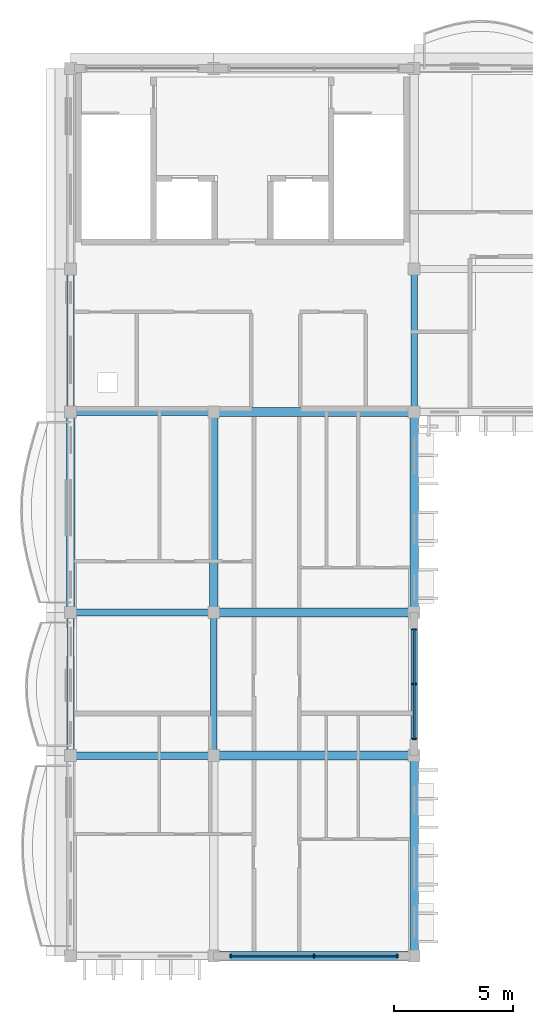
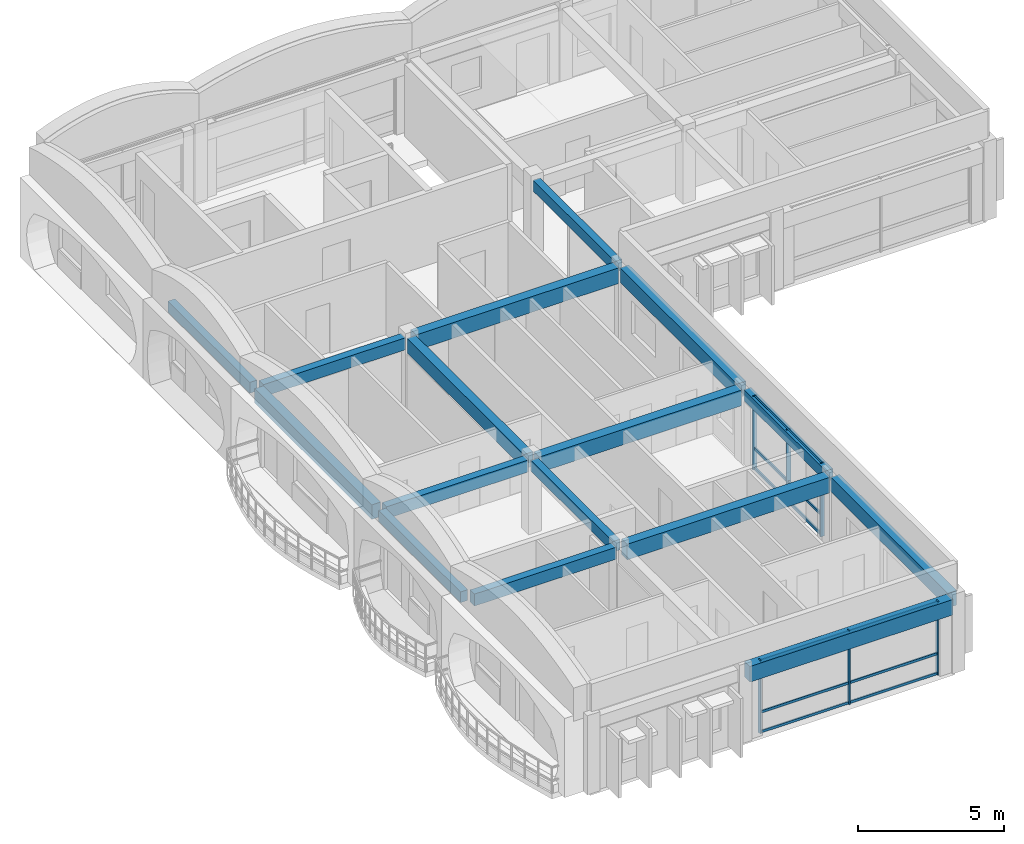
# One storey, part 2 of 12: 16 beams, 12 members, 2 elements without a shape of their own.
"""IFC4 building model written with IfcOpenShell, lengths in metres."""

from ifc_helpers import new_model, si_unit, direction, frame, origin, origin_2d, place, context, subcontext, project, spatial, rectangle, extrude, material, material_profile, profile_set, type_object, element, aggregate, save


model = new_model("IFC4")

# Units and contexts
model_context = context("Model", 3, precision=1e-05, world=origin(), true_north=direction((0.0, 1.0)))
body_context = subcontext(model_context, "Body", "Model", "MODEL_VIEW")
ifc_project = project(units=[si_unit("LENGTHUNIT", "METRE"), si_unit("AREAUNIT", "SQUARE_METRE"), si_unit("VOLUMEUNIT", "CUBIC_METRE"), si_unit("PLANEANGLEUNIT", "RADIAN"), si_unit("MASSUNIT", "GRAM", prefix="KILO"), si_unit("THERMODYNAMICTEMPERATUREUNIT", "KELVIN")], contexts=[model_context])

# Site, building, storey
site_placement = place(None, origin())
site = spatial("IfcSite", under=ifc_project, at=site_placement, CompositionType="ELEMENT")
building_placement = place(site_placement, origin())
building = spatial("IfcBuilding", under=site, at=building_placement, Name="Thalorik Housing Commons", CompositionType="ELEMENT")
storey_placement = place(building_placement, frame((0.0, 0.0, 51.0)))
storey = spatial("IfcBuildingStorey", under=building, at=storey_placement, Name="L15", CompositionType="ELEMENT", Elevation=51.0)

# Curtain wall, members
ifc_material_1 = material(Name="Anodised aluminium and solar-control low-E glass", Category="aluminium")
curtain_wall_type = type_object("IfcCurtainWallType", Name="ARC-CW-LOUNGE", PredefinedType="USERDEFINED", material=ifc_material_1)
curtain_wall_1_placement = place(storey_placement, origin())
curtain_wall_1 = element("IfcCurtainWall", 1, at=curtain_wall_1_placement, inside=storey, type_object=curtain_wall_type, Name="L15 Curtain Wall CW-RES-L15-A-069", ObjectType="CURTAIN WALL", PredefinedType="USERDEFINED")
ifc_material_2 = material(Name="Anodised aluminium 6063-T6", Category="aluminium")
ifc_material_profile_1 = material_profile(ifc_material_2, rectangle(XDim=0.054931640625, YDim=0.139892578125, at=origin_2d()), Name="ALU MUL 55x140", Category="aluminium")
ifc_profile_set_1 = profile_set([ifc_material_profile_1], Name="Anodised aluminium 6063-T6")
member_type_1 = type_object("IfcMemberType", Name="ARC-CW-MUL-55x140", PredefinedType="MULLION", material=ifc_profile_set_1)
member_1_placement = place(storey_placement, frame((15.10009765625, 86.39990234375, 0.0), z_axis=(0.0, 0.0, 1.0), x_axis=(1.0, 0.0, 0.0)))
member_1 = element("IfcMember", 2, at=member_1_placement, type_object=member_type_1, Name="CW-RES-L15-A-069 Mullion 1", PredefinedType="MULLION", context=body_context, shape_type="SweptSolid", body=[
    extrude(rectangle(XDim=0.054931640625, YDim=0.139892578125, at=origin_2d()), origin(), (0.0, 0.0, 1.0), 3.06005859375),
])
member_2_placement = place(storey_placement, frame((18.60009765625, 86.39990234375, 0.0), z_axis=(0.0, 0.0, 1.0), x_axis=(1.0, 0.0, 0.0)))
member_2 = element("IfcMember", 3, at=member_2_placement, type_object=member_type_1, Name="CW-RES-L15-A-069 Mullion 2", PredefinedType="MULLION", context=body_context, shape_type="SweptSolid", body=[
    extrude(rectangle(XDim=0.054931640625, YDim=0.139892578125, at=origin_2d()), origin(), (0.0, 0.0, 1.0), 3.06005859375),
])
member_3_placement = place(storey_placement, frame((22.10009765625, 86.39990234375, 0.0), z_axis=(0.0, 0.0, 1.0), x_axis=(1.0, 0.0, 0.0)))
member_3 = element("IfcMember", 4, at=member_3_placement, type_object=member_type_1, Name="CW-RES-L15-A-069 Mullion 3", PredefinedType="MULLION", context=body_context, shape_type="SweptSolid", body=[
    extrude(rectangle(XDim=0.054931640625, YDim=0.139892578125, at=origin_2d()), origin(), (0.0, 0.0, 1.0), 3.06005859375),
])

curtain_wall_2_placement = place(storey_placement, origin())
curtain_wall_2 = element("IfcCurtainWall", 5, at=curtain_wall_2_placement, inside=storey, type_object=curtain_wall_type, Name="L15 Curtain Wall CW-RES-L15-A-070", ObjectType="CURTAIN WALL", PredefinedType="USERDEFINED")
ifc_material_profile_2 = material_profile(ifc_material_2, rectangle(XDim=0.06005859375, YDim=0.159912109375, at=origin_2d()), Name="ALU MUL 60x160", Category="aluminium")
ifc_profile_set_2 = profile_set([ifc_material_profile_2], Name="Anodised aluminium 6063-T6")
member_type_2 = type_object("IfcMemberType", Name="ARC-CW-MUL-60x160", PredefinedType="MULLION", material=ifc_profile_set_2)
member_4_placement = place(storey_placement, frame((22.800048828125, 95.5, 0.0), z_axis=(0.0, 0.0, 1.0), x_axis=(0.0, 1.0, 0.0)))
member_4 = element("IfcMember", 6, at=member_4_placement, type_object=member_type_2, Name="CW-RES-L15-A-070 Mullion 1", PredefinedType="MULLION", context=body_context, shape_type="SweptSolid", body=[
    extrude(rectangle(XDim=0.06005859375, YDim=0.159912109375, at=origin_2d()), origin(), (0.0, 0.0, 1.0), 3.06005859375),
])
member_5_placement = place(storey_placement, frame((22.800048828125, 97.800048828125, 0.0), z_axis=(0.0, 0.0, 1.0), x_axis=(0.0, 1.0, 0.0)))
member_5 = element("IfcMember", 7, at=member_5_placement, type_object=member_type_2, Name="CW-RES-L15-A-070 Mullion 2", PredefinedType="MULLION", context=body_context, shape_type="SweptSolid", body=[
    extrude(rectangle(XDim=0.06005859375, YDim=0.159912109375, at=origin_2d()), origin(), (0.0, 0.0, 1.0), 3.06005859375),
])
member_6_placement = place(storey_placement, frame((22.800048828125, 100.10009765625, 0.0), z_axis=(0.0, 0.0, 1.0), x_axis=(0.0, 1.0, 0.0)))
member_6 = element("IfcMember", 8, at=member_6_placement, type_object=member_type_2, Name="CW-RES-L15-A-070 Mullion 3", PredefinedType="MULLION", context=body_context, shape_type="SweptSolid", body=[
    extrude(rectangle(XDim=0.06005859375, YDim=0.159912109375, at=origin_2d()), origin(), (0.0, 0.0, 1.0), 3.06005859375),
])

# Member
ifc_material_profile_3 = material_profile(ifc_material_2, rectangle(XDim=0.054931640625, YDim=0.10498046875, at=origin_2d()), Name="ALU TRN 55x105", Category="aluminium")
ifc_profile_set_3 = profile_set([ifc_material_profile_3], Name="Anodised aluminium 6063-T6")
member_type_3 = type_object("IfcMemberType", Name="ARC-CW-TRN-55x105", PredefinedType="USERDEFINED", material=ifc_profile_set_3)
member_7_placement = place(storey_placement, frame((15.10009765625, 86.39990234375, 0.054931640625), z_axis=(1.0, 0.0, 0.0), x_axis=(0.0, 1.0, 0.0)))
member_7 = element("IfcMember", 9, at=member_7_placement, type_object=member_type_3, Name="CW-RES-L15-A-069 Transom 1", ObjectType="TRANSOM", PredefinedType="USERDEFINED", context=body_context, shape_type="SweptSolid", body=[
    extrude(rectangle(XDim=0.054931640625, YDim=0.10498046875, at=origin_2d()), origin(), (0.0, 0.0, 1.0), 7.0),
])

member_8_placement = place(storey_placement, frame((15.10009765625, 86.39990234375, 0.8798828125), z_axis=(1.0, 0.0, 0.0), x_axis=(0.0, 1.0, 0.0)))
member_8 = element("IfcMember", 10, at=member_8_placement, type_object=member_type_3, Name="CW-RES-L15-A-069 Transom 2", ObjectType="TRANSOM", PredefinedType="USERDEFINED", context=body_context, shape_type="SweptSolid", body=[
    extrude(rectangle(XDim=0.054931640625, YDim=0.10498046875, at=origin_2d()), origin(), (0.0, 0.0, 1.0), 7.0),
])

member_9_placement = place(storey_placement, frame((15.10009765625, 86.39990234375, 3.0048828125), z_axis=(1.0, 0.0, 0.0), x_axis=(0.0, 1.0, 0.0)))
member_9 = element("IfcMember", 11, at=member_9_placement, type_object=member_type_3, Name="CW-RES-L15-A-069 Transom 3", ObjectType="TRANSOM", PredefinedType="USERDEFINED", context=body_context, shape_type="SweptSolid", body=[
    extrude(rectangle(XDim=0.054931640625, YDim=0.10498046875, at=origin_2d()), origin(), (0.0, 0.0, 1.0), 7.0),
])

aggregate(curtain_wall_1, [member_1, member_2, member_3, member_7, member_8, member_9])

ifc_material_profile_4 = material_profile(ifc_material_2, rectangle(XDim=0.06005859375, YDim=0.1201171875, at=origin_2d()), Name="ALU TRN 60x120", Category="aluminium")
ifc_profile_set_4 = profile_set([ifc_material_profile_4], Name="Anodised aluminium 6063-T6")
member_type_4 = type_object("IfcMemberType", Name="ARC-CW-TRN-60x120", PredefinedType="USERDEFINED", material=ifc_profile_set_4)
member_10_placement = place(storey_placement, frame((22.800048828125, 95.5, 0.054931640625), z_axis=(0.0, 1.0, 0.0), x_axis=(-1.0, 0.0, 0.0)))
member_10 = element("IfcMember", 12, at=member_10_placement, type_object=member_type_4, Name="CW-RES-L15-A-070 Transom 1", ObjectType="TRANSOM", PredefinedType="USERDEFINED", context=body_context, shape_type="SweptSolid", body=[
    extrude(rectangle(XDim=0.06005859375, YDim=0.1201171875, at=origin_2d()), origin(), (0.0, 0.0, 1.0), 4.60009765625),
])

member_11_placement = place(storey_placement, frame((22.800048828125, 95.5, 0.8798828125), z_axis=(0.0, 1.0, 0.0), x_axis=(-1.0, 0.0, 0.0)))
member_11 = element("IfcMember", 13, at=member_11_placement, type_object=member_type_4, Name="CW-RES-L15-A-070 Transom 2", ObjectType="TRANSOM", PredefinedType="USERDEFINED", context=body_context, shape_type="SweptSolid", body=[
    extrude(rectangle(XDim=0.06005859375, YDim=0.1201171875, at=origin_2d()), origin(), (0.0, 0.0, 1.0), 4.60009765625),
])

member_12_placement = place(storey_placement, frame((22.800048828125, 95.5, 3.0048828125), z_axis=(0.0, 1.0, 0.0), x_axis=(-1.0, 0.0, 0.0)))
member_12 = element("IfcMember", 14, at=member_12_placement, type_object=member_type_4, Name="CW-RES-L15-A-070 Transom 3", ObjectType="TRANSOM", PredefinedType="USERDEFINED", context=body_context, shape_type="SweptSolid", body=[
    extrude(rectangle(XDim=0.06005859375, YDim=0.1201171875, at=origin_2d()), origin(), (0.0, 0.0, 1.0), 4.60009765625),
])

aggregate(curtain_wall_2, [member_4, member_5, member_6, member_10, member_11, member_12])

# Beams
ifc_material_3 = material(Name="Precast concrete C40/50", Category="concrete")
ifc_material_profile_5 = material_profile(ifc_material_3, rectangle(XDim=0.280029296875, YDim=0.449951171875, at=origin_2d()), Name="PC 280x450", Category="concrete")
ifc_profile_set_5 = profile_set([ifc_material_profile_5], Name="Precast concrete C40/50")
beam_type_1 = type_object("IfcBeamType", Name="STR-BM-PC280x450", PredefinedType="BEAM", material=ifc_profile_set_5)
for number, where, z_axis, x_axis, name in (
    (15, (8.39990234375, 95.0, 2.8349609375), (0.0, 1.0, 0.0), (-1.0, 0.0, 0.0), "L15 Beam B-450"),
    (16, (8.39990234375, 109.39990234375, 2.8349609375), (0.0, 1.0, 0.0), (-1.0, 0.0, 0.0), "L15 Beam B-450"),
    (17, (14.39990234375, 95.0, 2.8349609375), (0.0, 1.0, 0.0), (-1.0, 0.0, 0.0), "L15 Beam B-450"),
    (18, (22.800048828125, 95.0, 2.8349609375), (0.0, 1.0, 0.0), (-1.0, 0.0, 0.0), "L15 Beam B-450"),
    (19, (22.800048828125, 109.39990234375, 2.8349609375), (0.0, 1.0, 0.0), (-1.0, 0.0, 0.0), "L15 Beam B-450"),
):
    element("IfcBeam", number, at=place(storey_placement, frame(where, z_axis=z_axis, x_axis=x_axis)), inside=storey, type_object=beam_type_1, Name=name, PredefinedType="BEAM", context=body_context, shape_type="SweptSolid", body=[
        extrude(rectangle(XDim=0.280029296875, YDim=0.449951171875, at=origin_2d()), origin(), (0.0, 0.0, 1.0), 5.60009765625),
    ])
ifc_material_profile_6 = material_profile(ifc_material_3, rectangle(XDim=0.300048828125, YDim=0.5, at=origin_2d()), Name="PC 300x500", Category="concrete")
ifc_profile_set_6 = profile_set([ifc_material_profile_6], Name="Precast concrete C40/50")
beam_type_2 = type_object("IfcBeamType", Name="STR-BM-PC300x500", PredefinedType="BEAM", material=ifc_profile_set_6)
for number, where, z_axis, x_axis, name in (
    (20, (8.60009765625, 94.800048828125, 2.81005859375), (1.0, 0.0, 0.0), (0.0, 1.0, 0.0), "L15 Beam B-500"),
    (21, (8.60009765625, 100.800048828125, 2.81005859375), (1.0, 0.0, 0.0), (0.0, 1.0, 0.0), "L15 Beam B-500"),
    (22, (8.60009765625, 109.199951171875, 2.81005859375), (1.0, 0.0, 0.0), (0.0, 1.0, 0.0), "L15 Beam B-500"),
):
    element("IfcBeam", number, at=place(storey_placement, frame(where, z_axis=z_axis, x_axis=x_axis)), inside=storey, type_object=beam_type_2, Name=name, PredefinedType="BEAM", context=body_context, shape_type="SweptSolid", body=[
        extrude(rectangle(XDim=0.300048828125, YDim=0.5, at=origin_2d()), origin(), (0.0, 0.0, 1.0), 5.599853515625),
    ])
ifc_material_profile_7 = material_profile(ifc_material_3, rectangle(XDim=0.35009765625, YDim=0.60009765625, at=origin_2d()), Name="PC 350x600", Category="concrete")
ifc_profile_set_7 = profile_set([ifc_material_profile_7], Name="Precast concrete C40/50")
beam_type_3 = type_object("IfcBeamType", Name="STR-BM-PC350x600", PredefinedType="BEAM", material=ifc_profile_set_7)
for number, where, z_axis, x_axis, name in (
    (23, (8.39990234375, 101.0, 2.760009765625), (0.0, 1.0, 0.0), (-1.0, 0.0, 0.0), "L15 Beam B-600"),
    (24, (14.39990234375, 101.0, 2.760009765625), (0.0, 1.0, 0.0), (-1.0, 0.0, 0.0), "L15 Beam B-600"),
    (25, (22.800048828125, 86.60009765625, 2.760009765625), (0.0, 1.0, 0.0), (-1.0, 0.0, 0.0), "L15 Beam B-600"),
    (26, (22.800048828125, 101.0, 2.760009765625), (0.0, 1.0, 0.0), (-1.0, 0.0, 0.0), "L15 Beam B-600"),
):
    element("IfcBeam", number, at=place(storey_placement, frame(where, z_axis=z_axis, x_axis=x_axis)), inside=storey, type_object=beam_type_3, Name=name, PredefinedType="BEAM", context=body_context, shape_type="SweptSolid", body=[
        extrude(rectangle(XDim=0.35009765625, YDim=0.60009765625, at=origin_2d()), origin(), (0.0, 0.0, 1.0), 8.0),
    ])
ifc_material_profile_8 = material_profile(ifc_material_3, rectangle(XDim=0.3798828125, YDim=0.64990234375, at=origin_2d()), Name="PC 380x650", Category="concrete")
ifc_profile_set_8 = profile_set([ifc_material_profile_8], Name="Precast concrete C40/50")
beam_type_4 = type_object("IfcBeamType", Name="STR-BM-PC380x650", PredefinedType="BEAM", material=ifc_profile_set_8)
for number, where, z_axis, x_axis, name in (
    (27, (14.60009765625, 86.39990234375, 2.735107421875), (1.0, 0.0, 0.0), (0.0, 1.0, 0.0), "L15 Beam B-650"),
    (28, (14.60009765625, 94.800048828125, 2.735107421875), (1.0, 0.0, 0.0), (0.0, 1.0, 0.0), "L15 Beam B-650"),
    (29, (14.60009765625, 100.800048828125, 2.735107421875), (1.0, 0.0, 0.0), (0.0, 1.0, 0.0), "L15 Beam B-650"),
    (30, (14.60009765625, 109.199951171875, 2.735107421875), (1.0, 0.0, 0.0), (0.0, 1.0, 0.0), "L15 Beam B-650"),
):
    element("IfcBeam", number, at=place(storey_placement, frame(where, z_axis=z_axis, x_axis=x_axis)), inside=storey, type_object=beam_type_4, Name=name, PredefinedType="BEAM", context=body_context, shape_type="SweptSolid", body=[
        extrude(rectangle(XDim=0.3798828125, YDim=0.64990234375, at=origin_2d()), origin(), (0.0, 0.0, 1.0), 8.0),
    ])

save(model, "model.ifc")
